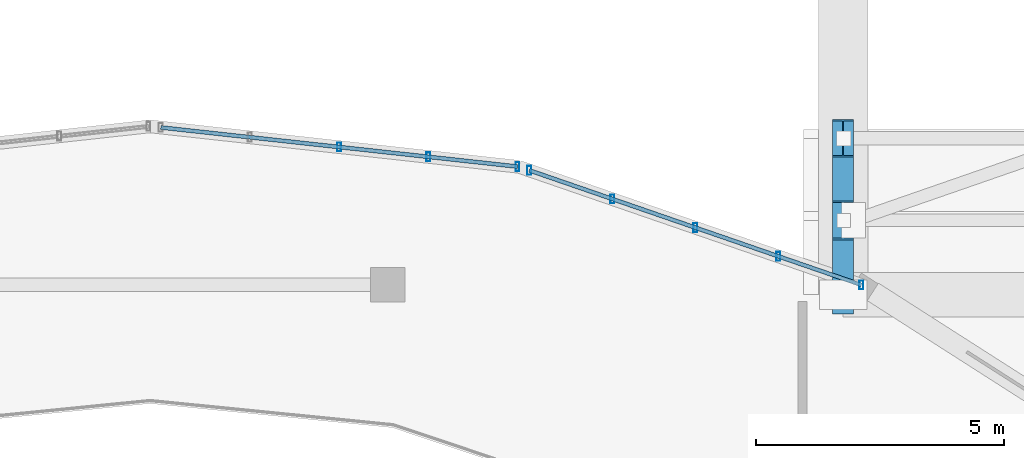
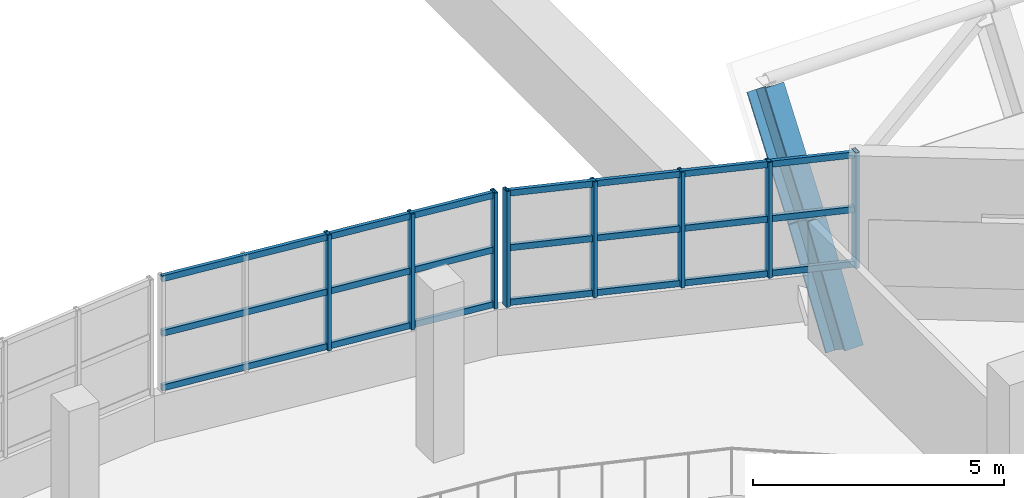
# One storey, part 26 of 52: 14 members, 2 beams, 2 elements without a shape of their own.
"""IFC4 building model written with IfcOpenShell, lengths in metres."""

from ifc_helpers import new_model, si_unit, direction, frame, origin, origin_2d, place, context, subcontext, project, spatial, hollow_rectangle, i_section, extrude, material, material_profile, profile_set, type_object, element, aggregate, save


model = new_model("IFC4")

# Units and contexts
model_context = context("Model", 3, precision=1e-05, world=origin(), true_north=direction((0.0, 1.0)))
body_context = subcontext(model_context, "Body", "Model", "MODEL_VIEW")
ifc_project = project(units=[si_unit("LENGTHUNIT", "METRE"), si_unit("AREAUNIT", "SQUARE_METRE"), si_unit("VOLUMEUNIT", "CUBIC_METRE"), si_unit("PLANEANGLEUNIT", "RADIAN"), si_unit("MASSUNIT", "GRAM", prefix="KILO")], contexts=[model_context])

# Site, building, storey
site_placement = place(None, origin())
site = spatial("IfcSite", under=ifc_project, at=site_placement, CompositionType="ELEMENT")
building_placement = place(site_placement, origin())
building = spatial("IfcBuilding", under=site, at=building_placement, Name="Solvento Point Concert Hall", CompositionType="ELEMENT")
storey_placement = place(building_placement, frame((0.0, 0.0, 19.5)))
storey = spatial("IfcBuildingStorey", under=building, at=storey_placement, Name="L04", CompositionType="ELEMENT", Elevation=19.5)

# Beams
ifc_material_1 = material(Name="Structural Steel ASTM A992 Grade 50", Category="steel")
ifc_material_profile_1 = material_profile(ifc_material_1, i_section(OverallWidth=0.423095703125, OverallDepth=0.947998046875, WebThickness=0.02392578125, FlangeThickness=0.042724609375, at=origin_2d()), Name="W36X302")
ifc_profile_set_1 = profile_set([ifc_material_profile_1], Name="Structural Steel ASTM A992 Grade 50")
beam_type = type_object("IfcBeamType", Name="ArchRib_W36X302", PredefinedType="BEAM", material=ifc_profile_set_1)
beam_1_placement = place(storey_placement, frame((75.199951171875, 50.800048828125, -0.64990234375), z_axis=(0.0, 0.557211589906, 0.830370546247), x_axis=(-1.0, 0.0, 0.0)))
element("IfcBeam", 1, at=beam_1_placement, inside=storey, type_object=beam_type, Name="Steel arch rib AR-01 bay 1 seg 1", PredefinedType="BEAM", context=body_context, shape_type="SweptSolid", body=[
    extrude(i_section(OverallWidth=0.423095703125, OverallDepth=0.947998046875, WebThickness=0.02392578125, FlangeThickness=0.042724609375, at=origin_2d()), origin(), (0.0, 0.0, 1.0), 2.689453125),
])
beam_2_placement = place(storey_placement, frame((75.199951171875, 52.298583984375, 1.583251953125), z_axis=(0.0, 0.596003968317, 0.8029814878), x_axis=(-1.0, 0.0, 0.0)))
element("IfcBeam", 2, at=beam_2_placement, inside=storey, type_object=beam_type, Name="Steel arch rib AR-01 bay 1 seg 2", PredefinedType="BEAM", context=body_context, shape_type="SweptSolid", body=[
    extrude(i_section(OverallWidth=0.423095703125, OverallDepth=0.947998046875, WebThickness=0.02392578125, FlangeThickness=0.042724609375, at=origin_2d()), origin(), (0.0, 0.0, 1.0), 2.781494140625),
])

# Curtain wall, members
ifc_material_2 = material(Name="Anodized Bronze Aluminium", Category="aluminium")
curtain_wall_type = type_object("IfcCurtainWallType", Name="CurtainWall_RingRibbon_L03_04", PredefinedType="USERDEFINED", material=ifc_material_2)
curtain_wall_1_placement = place(storey_placement, origin())
curtain_wall_1 = element("IfcCurtainWall", 3, at=curtain_wall_1_placement, inside=storey, type_object=curtain_wall_type, Name="Unitised curtain wall CW-31 UCW-L04-221", ObjectType="UNITISED CURTAIN WALL", PredefinedType="USERDEFINED")
ifc_material_3 = material(Name="Anodized Bronze Aluminium", Category="aluminium")
ifc_material_profile_2 = material_profile(ifc_material_3, hollow_rectangle(XDim=0.080078125, YDim=0.179931640625, WallThickness=0.00390625, at=origin_2d()), Name="CW-MUL-80X180")
ifc_profile_set_2 = profile_set([ifc_material_profile_2], Name="Anodized Bronze Aluminium")
member_type_1 = type_object("IfcMemberType", Name="Mullion_80x180", PredefinedType="MULLION", material=ifc_profile_set_2)
member_1_placement = place(storey_placement, frame((65.021484375, 53.78076171875, 1.1201171875), z_axis=(0.0, 0.0, 1.0), x_axis=(1.0, 0.0, 0.0)))
member_1 = element("IfcMember", 4, at=member_1_placement, type_object=member_type_1, Name="Curtain wall mullion ML-01", PredefinedType="MULLION", context=body_context, shape_type="SweptSolid", body=[
    extrude(hollow_rectangle(XDim=0.080078125, YDim=0.179931640625, WallThickness=0.00390625, at=origin_2d()), origin(), (0.0, 0.0, 1.0), 2.81982421875),
])
member_2_placement = place(storey_placement, frame((66.82275390625, 53.5830078125, 1.1201171875), z_axis=(0.0, 0.0, 1.0), x_axis=(1.0, 0.0, 0.0)))
member_2 = element("IfcMember", 5, at=member_2_placement, type_object=member_type_1, Name="Curtain wall mullion ML-01", PredefinedType="MULLION", context=body_context, shape_type="SweptSolid", body=[
    extrude(hollow_rectangle(XDim=0.080078125, YDim=0.179931640625, WallThickness=0.00390625, at=origin_2d()), origin(), (0.0, 0.0, 1.0), 2.81982421875),
])
member_3_placement = place(storey_placement, frame((68.624267578125, 53.385498046875, 1.1201171875), z_axis=(0.0, 0.0, 1.0), x_axis=(1.0, 0.0, 0.0)))
member_3 = element("IfcMember", 6, at=member_3_placement, type_object=member_type_1, Name="Curtain wall mullion ML-01", PredefinedType="MULLION", context=body_context, shape_type="SweptSolid", body=[
    extrude(hollow_rectangle(XDim=0.080078125, YDim=0.179931640625, WallThickness=0.00390625, at=origin_2d()), origin(), (0.0, 0.0, 1.0), 2.81982421875),
])

curtain_wall_2_placement = place(storey_placement, origin())
curtain_wall_2 = element("IfcCurtainWall", 7, at=curtain_wall_2_placement, inside=storey, type_object=curtain_wall_type, Name="Unitised curtain wall CW-31 UCW-L04-222", ObjectType="UNITISED CURTAIN WALL", PredefinedType="USERDEFINED")
member_4_placement = place(storey_placement, frame((68.862060546875, 53.310302734375, 1.1201171875), z_axis=(0.0, 0.0, 1.0), x_axis=(1.0, 0.0, 0.0)))
member_4 = element("IfcMember", 8, at=member_4_placement, type_object=member_type_1, Name="Curtain wall mullion ML-01", PredefinedType="MULLION", context=body_context, shape_type="SweptSolid", body=[
    extrude(hollow_rectangle(XDim=0.080078125, YDim=0.179931640625, WallThickness=0.00390625, at=origin_2d()), origin(), (0.0, 0.0, 1.0), 2.81982421875),
])
member_5_placement = place(storey_placement, frame((70.539306640625, 52.7314453125, 1.1201171875), z_axis=(0.0, 0.0, 1.0), x_axis=(1.0, 0.0, 0.0)))
member_5 = element("IfcMember", 9, at=member_5_placement, type_object=member_type_1, Name="Curtain wall mullion ML-01", PredefinedType="MULLION", context=body_context, shape_type="SweptSolid", body=[
    extrude(hollow_rectangle(XDim=0.080078125, YDim=0.179931640625, WallThickness=0.00390625, at=origin_2d()), origin(), (0.0, 0.0, 1.0), 2.81982421875),
])
member_6_placement = place(storey_placement, frame((72.216796875, 52.15234375, 1.1201171875), z_axis=(0.0, 0.0, 1.0), x_axis=(1.0, 0.0, 0.0)))
member_6 = element("IfcMember", 10, at=member_6_placement, type_object=member_type_1, Name="Curtain wall mullion ML-01", PredefinedType="MULLION", context=body_context, shape_type="SweptSolid", body=[
    extrude(hollow_rectangle(XDim=0.080078125, YDim=0.179931640625, WallThickness=0.00390625, at=origin_2d()), origin(), (0.0, 0.0, 1.0), 2.81982421875),
])
member_7_placement = place(storey_placement, frame((73.894287109375, 51.573486328125, 1.1201171875), z_axis=(0.0, 0.0, 1.0), x_axis=(1.0, 0.0, 0.0)))
member_7 = element("IfcMember", 11, at=member_7_placement, type_object=member_type_1, Name="Curtain wall mullion ML-01", PredefinedType="MULLION", context=body_context, shape_type="SweptSolid", body=[
    extrude(hollow_rectangle(XDim=0.080078125, YDim=0.179931640625, WallThickness=0.00390625, at=origin_2d()), origin(), (0.0, 0.0, 1.0), 2.81982421875),
])
member_8_placement = place(storey_placement, frame((75.571533203125, 50.994384765625, 1.1201171875), z_axis=(0.0, 0.0, 1.0), x_axis=(1.0, 0.0, 0.0)))
member_8 = element("IfcMember", 12, at=member_8_placement, type_object=member_type_1, Name="Curtain wall mullion ML-01", PredefinedType="MULLION", context=body_context, shape_type="SweptSolid", body=[
    extrude(hollow_rectangle(XDim=0.080078125, YDim=0.179931640625, WallThickness=0.00390625, at=origin_2d()), origin(), (0.0, 0.0, 1.0), 2.81982421875),
])

# Member
ifc_material_4 = material(Name="Anodized Bronze Aluminium", Category="aluminium")
ifc_material_profile_3 = material_profile(ifc_material_4, hollow_rectangle(XDim=0.080078125, YDim=0.14990234375, WallThickness=0.00390625, at=origin_2d()), Name="CW-TRN-80X150")
ifc_profile_set_3 = profile_set([ifc_material_profile_3], Name="Anodized Bronze Aluminium")
member_type_2 = type_object("IfcMemberType", Name="Transom_80x150", PredefinedType="USERDEFINED", material=ifc_profile_set_3)
member_9_placement = place(storey_placement, frame((61.418701171875, 54.176025390625, 1.199951171875), z_axis=(0.994035576175, -0.109056285006, 0.0), x_axis=(0.109056285006, 0.994035576175, 0.0)))
member_9 = element("IfcMember", 13, at=member_9_placement, type_object=member_type_2, Name="Curtain wall transom TR-01", ObjectType="TRANSOM", PredefinedType="USERDEFINED", context=body_context, shape_type="SweptSolid", body=[
    extrude(hollow_rectangle(XDim=0.080078125, YDim=0.14990234375, WallThickness=0.00390625, at=origin_2d()), origin(), (0.0, 0.0, 1.0), 7.248779296875),
])

member_10_placement = place(storey_placement, frame((61.418701171875, 54.176025390625, 2.530029296875), z_axis=(0.994035576175, -0.109056285006, 0.0), x_axis=(0.109056285006, 0.994035576175, 0.0)))
member_10 = element("IfcMember", 14, at=member_10_placement, type_object=member_type_2, Name="Curtain wall transom TR-01", ObjectType="TRANSOM", PredefinedType="USERDEFINED", context=body_context, shape_type="SweptSolid", body=[
    extrude(hollow_rectangle(XDim=0.080078125, YDim=0.14990234375, WallThickness=0.00390625, at=origin_2d()), origin(), (0.0, 0.0, 1.0), 7.248779296875),
])

member_11_placement = place(storey_placement, frame((61.418701171875, 54.176025390625, 3.860107421875), z_axis=(0.994035576175, -0.109056285006, 0.0), x_axis=(0.109056285006, 0.994035576175, 0.0)))
member_11 = element("IfcMember", 15, at=member_11_placement, type_object=member_type_2, Name="Curtain wall transom TR-01", ObjectType="TRANSOM", PredefinedType="USERDEFINED", context=body_context, shape_type="SweptSolid", body=[
    extrude(hollow_rectangle(XDim=0.080078125, YDim=0.14990234375, WallThickness=0.00390625, at=origin_2d()), origin(), (0.0, 0.0, 1.0), 7.248779296875),
])

aggregate(curtain_wall_1, [member_1, member_2, member_3, member_9, member_10, member_11])

member_12_placement = place(storey_placement, frame((68.862060546875, 53.310302734375, 1.199951171875), z_axis=(0.945272782673, -0.32628111551, 0.0), x_axis=(0.32628111551, 0.945272782673, 0.0)))
member_12 = element("IfcMember", 16, at=member_12_placement, type_object=member_type_2, Name="Curtain wall transom TR-01", ObjectType="TRANSOM", PredefinedType="USERDEFINED", context=body_context, shape_type="SweptSolid", body=[
    extrude(hollow_rectangle(XDim=0.080078125, YDim=0.14990234375, WallThickness=0.00390625, at=origin_2d()), origin(), (0.0, 0.0, 1.0), 7.097900390625),
])

member_13_placement = place(storey_placement, frame((68.862060546875, 53.310302734375, 2.530029296875), z_axis=(0.945272782673, -0.32628111551, 0.0), x_axis=(0.32628111551, 0.945272782673, 0.0)))
member_13 = element("IfcMember", 17, at=member_13_placement, type_object=member_type_2, Name="Curtain wall transom TR-01", ObjectType="TRANSOM", PredefinedType="USERDEFINED", context=body_context, shape_type="SweptSolid", body=[
    extrude(hollow_rectangle(XDim=0.080078125, YDim=0.14990234375, WallThickness=0.00390625, at=origin_2d()), origin(), (0.0, 0.0, 1.0), 7.097900390625),
])

member_14_placement = place(storey_placement, frame((68.862060546875, 53.310302734375, 3.860107421875), z_axis=(0.945272782673, -0.32628111551, 0.0), x_axis=(0.32628111551, 0.945272782673, 0.0)))
member_14 = element("IfcMember", 18, at=member_14_placement, type_object=member_type_2, Name="Curtain wall transom TR-01", ObjectType="TRANSOM", PredefinedType="USERDEFINED", context=body_context, shape_type="SweptSolid", body=[
    extrude(hollow_rectangle(XDim=0.080078125, YDim=0.14990234375, WallThickness=0.00390625, at=origin_2d()), origin(), (0.0, 0.0, 1.0), 7.097900390625),
])

aggregate(curtain_wall_2, [member_4, member_5, member_6, member_7, member_8, member_12, member_13, member_14])

save(model, "model.ifc")
